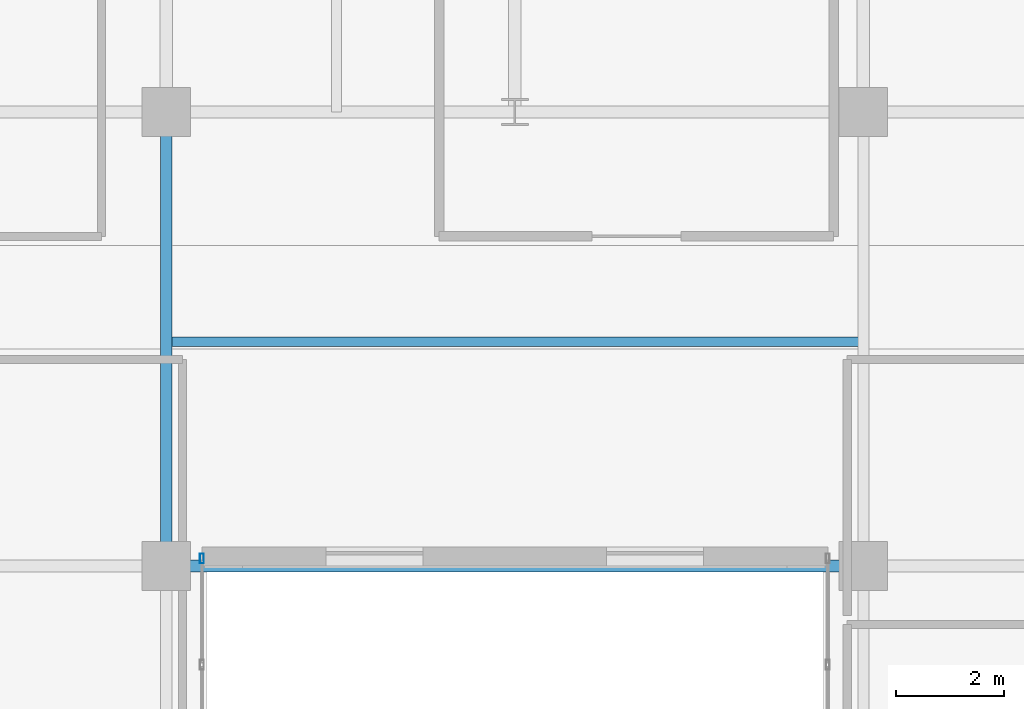
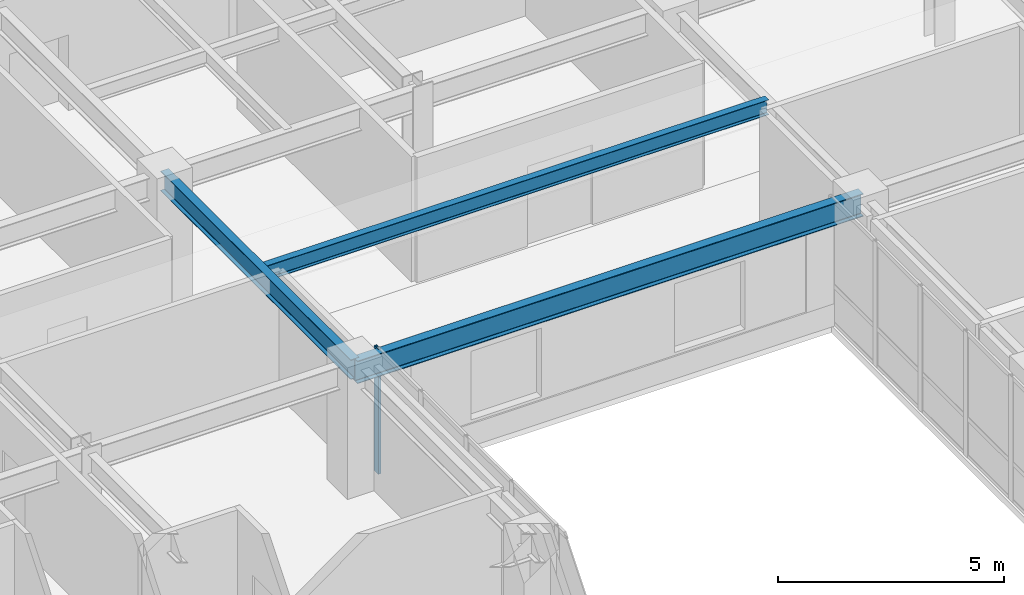
# One storey, part 5 of 24: 3 beams, 1 member, 1 element without a shape of its own.
"""IFC4 building model written with IfcOpenShell, lengths in metres."""

from ifc_helpers import new_model, si_unit, direction, frame, origin, origin_2d, place, context, subcontext, project, spatial, hollow_rectangle, i_section, extrude, source, transform, mapped, material, layer, layer_set, material_profile, profile_set, type_object, type_shapes, element, aggregate, save


model = new_model("IFC4")

# Units and contexts
model_context = context("Model", 3, precision=1e-05, world=origin(), true_north=direction((0.0, 1.0)))
body_context = subcontext(model_context, "Body", "Model", "MODEL_VIEW")
ifc_project = project(units=[si_unit("LENGTHUNIT", "METRE"), si_unit("AREAUNIT", "SQUARE_METRE"), si_unit("VOLUMEUNIT", "CUBIC_METRE"), si_unit("PLANEANGLEUNIT", "RADIAN"), si_unit("MASSUNIT", "GRAM", prefix="KILO")], contexts=[model_context])

# Site, building, storey
site_placement = place(None, origin())
site = spatial("IfcSite", under=ifc_project, at=site_placement, CompositionType="ELEMENT")
building_placement = place(site_placement, origin())
building = spatial("IfcBuilding", under=site, at=building_placement, Name="Tolvann Quenvar Hotel", CompositionType="ELEMENT")
storey_placement = place(building_placement, frame((0.0, 0.0, 81.699951171875)))
storey = spatial("IfcBuildingStorey", under=building, at=storey_placement, Name="L20", CompositionType="ELEMENT", Elevation=81.699951171875)

# Beams
ifc_material_1 = material(Name="Steel Grade 350", Category="steel")
ifc_material_profile_1 = material_profile(ifc_material_1, i_section(OverallWidth=0.22900390625, OverallDepth=0.612060546875, WebThickness=0.011962890625, FlangeThickness=0.01953125, FilletRadius=0.013916015625, at=origin_2d()), Name="610UB125")
ifc_profile_set_1 = profile_set([ifc_material_profile_1], Name="Steel Grade 350")
beam_type_1 = type_object("IfcBeamType", Name="BM_GIRD_610UB125", PredefinedType="BEAM", material=ifc_profile_set_1)
shared_shape_1 = source(origin(), body_context, "Body", "SweptSolid", [
    extrude(i_section(OverallWidth=0.22900390625, OverallDepth=0.612060546875, WebThickness=0.011962890625, FlangeThickness=0.01953125, FilletRadius=0.013916015625, at=origin_2d()), origin(), (0.0, 0.0, 1.0), 12.89990234375),
])
type_shapes(beam_type_1, [shared_shape_1])
beam_1_placement = place(storey_placement, frame((22.050048828125, 16.0, 3.06396484375), z_axis=(1.0, 0.0, 0.0), x_axis=(0.0, 1.0, 0.0)))
element("IfcBeam", 1, at=beam_1_placement, inside=storey, type_object=beam_type_1, Name="BM-L20-EW-4-E4-F4", PredefinedType="BEAM", context=body_context, shape_type="MappedRepresentation", body=[
    mapped(shared_shape_1, transform((0.0, 0.0, 0.0), x_axis=(1.0, 0.0, 0.0), y_axis=(0.0, 1.0, 0.0), z_axis=(0.0, 0.0, 1.0), scale=1.0)),
])
ifc_material_profile_2 = material_profile(ifc_material_1, i_section(OverallWidth=0.208984375, OverallDepth=0.532958984375, WebThickness=0.01025390625, FlangeThickness=0.015625, FilletRadius=0.013916015625, at=origin_2d()), Name="530UB92")
ifc_profile_set_2 = profile_set([ifc_material_profile_2], Name="Steel Grade 350")
beam_type_2 = type_object("IfcBeamType", Name="BM_GIRD_530UB92", PredefinedType="BEAM", material=ifc_profile_set_2)
shared_shape_2 = source(origin(), body_context, "Body", "SweptSolid", [
    extrude(i_section(OverallWidth=0.208984375, OverallDepth=0.532958984375, WebThickness=0.01025390625, FlangeThickness=0.015625, FilletRadius=0.013916015625, at=origin_2d()), origin(), (0.0, 0.0, 1.0), 8.39990234375),
])
type_shapes(beam_type_2, [shared_shape_2])
beam_2_placement = place(storey_placement, frame((22.050048828125, 16.0, 3.103515625), z_axis=(0.0, 1.0, 0.0), x_axis=(-1.0, 0.0, 0.0)))
element("IfcBeam", 2, at=beam_2_placement, inside=storey, type_object=beam_type_2, Name="BM-L20-NS-E4-E5", PredefinedType="BEAM", context=body_context, shape_type="MappedRepresentation", body=[
    mapped(shared_shape_2, transform((0.0, 0.0, 0.0), x_axis=(1.0, 0.0, 0.0), y_axis=(0.0, 1.0, 0.0), z_axis=(0.0, 0.0, 1.0), scale=1.0)),
])
ifc_material_profile_3 = material_profile(ifc_material_1, i_section(OverallWidth=0.177978515625, OverallDepth=0.406005859375, WebThickness=0.0078125, FlangeThickness=0.0126953125, FilletRadius=0.011474609375, at=origin_2d()), Name="410UB60")
ifc_profile_set_3 = profile_set([ifc_material_profile_3], Name="Steel Grade 350")
beam_type_3 = type_object("IfcBeamType", Name="BM_JOIST_410UB60", PredefinedType="JOIST", material=ifc_profile_set_3)
shared_shape_3 = source(origin(), body_context, "Body", "SweptSolid", [
    extrude(i_section(OverallWidth=0.177978515625, OverallDepth=0.406005859375, WebThickness=0.0078125, FlangeThickness=0.0126953125, FilletRadius=0.011474609375, at=origin_2d()), origin(), (0.0, 0.0, 1.0), 12.89990234375),
])
type_shapes(beam_type_3, [shared_shape_3])
beam_3_placement = place(storey_placement, frame((22.050048828125, 20.14990234375, 3.1669921875), z_axis=(1.0, 0.0, 0.0), x_axis=(0.0, 1.0, 0.0)))
element("IfcBeam", 3, at=beam_3_placement, inside=storey, type_object=beam_type_3, Name="BM-L20-SPINE-20", PredefinedType="JOIST", context=body_context, shape_type="MappedRepresentation", body=[
    mapped(shared_shape_3, transform((0.0, 0.0, 0.0), x_axis=(1.0, 0.0, 0.0), y_axis=(0.0, 1.0, 0.0), z_axis=(0.0, 0.0, 1.0), scale=1.0)),
])

# Curtain wall, member
ifc_material_2 = material(Name="Thermally broken anodised architectural aluminium 6063-T6 and laminated low-E glass", Category="aluminium")
ifc_layer = layer(ifc_material_2, 0.179931640625)
ifc_layer_set = layer_set([ifc_layer], Name="Thermally broken anodised architectural aluminium 6063-T6 and laminated low-E glass")
curtain_wall_type = type_object("IfcCurtainWallType", Name="CW_SYS_SLOT_03", PredefinedType="USERDEFINED", material=ifc_layer_set)
curtain_wall_placement = place(storey_placement, origin())
curtain_wall = element("IfcCurtainWall", 4, at=curtain_wall_placement, inside=storey, type_object=curtain_wall_type, Name="Curtain Wall CW-SLOT-03 (CWR-L20-E05)", ObjectType="UNITISED CURTAIN WALL", PredefinedType="USERDEFINED")
ifc_material_3 = material(Name="Anodised architectural aluminium 6063-T6 framing", Category="aluminium")
ifc_material_profile_4 = material_profile(ifc_material_3, hollow_rectangle(XDim=0.070068359375, YDim=0.179931640625, WallThickness=0.00390625, at=origin_2d()), Name="180x70x4RHS")
ifc_profile_set_4 = profile_set([ifc_material_profile_4], Name="Anodised architectural aluminium 6063-T6 framing")
member_type = type_object("IfcMemberType", Name="CW_MULL_180x70", PredefinedType="MULLION", material=ifc_profile_set_4)
shared_shape_4 = source(origin(), body_context, "Body", "SweptSolid", [
    extrude(hollow_rectangle(XDim=0.070068359375, YDim=0.179931640625, WallThickness=0.00390625, at=origin_2d()), origin(), (0.0, 0.0, 1.0), 3.3701171875),
])
type_shapes(member_type, [shared_shape_4])
member_placement = place(storey_placement, frame((22.7099609375, 16.139892578125, 0.0), z_axis=(0.0, 0.0, 1.0), x_axis=(-1.0, 0.0, 0.0)))
member = element("IfcMember", 5, at=member_placement, type_object=member_type, Name="CW-SLOT-03 mullion 9", PredefinedType="MULLION", context=body_context, shape_type="MappedRepresentation", body=[
    mapped(shared_shape_4, transform((0.0, 0.0, 0.0), x_axis=(1.0, 0.0, 0.0), y_axis=(0.0, 1.0, 0.0), z_axis=(0.0, 0.0, 1.0), scale=1.0)),
])
aggregate(curtain_wall, [member])

save(model, "model.ifc")
